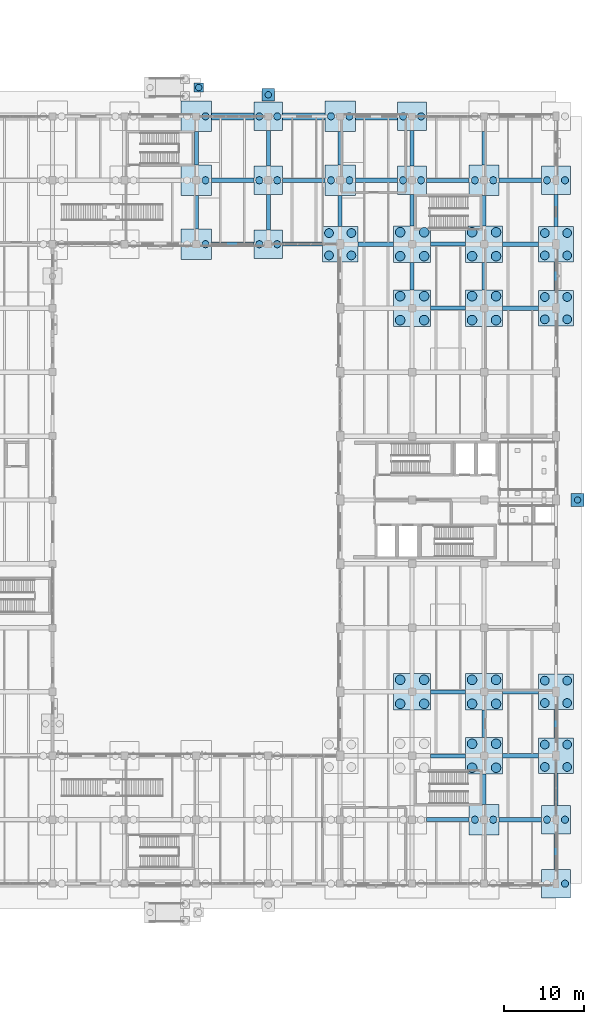
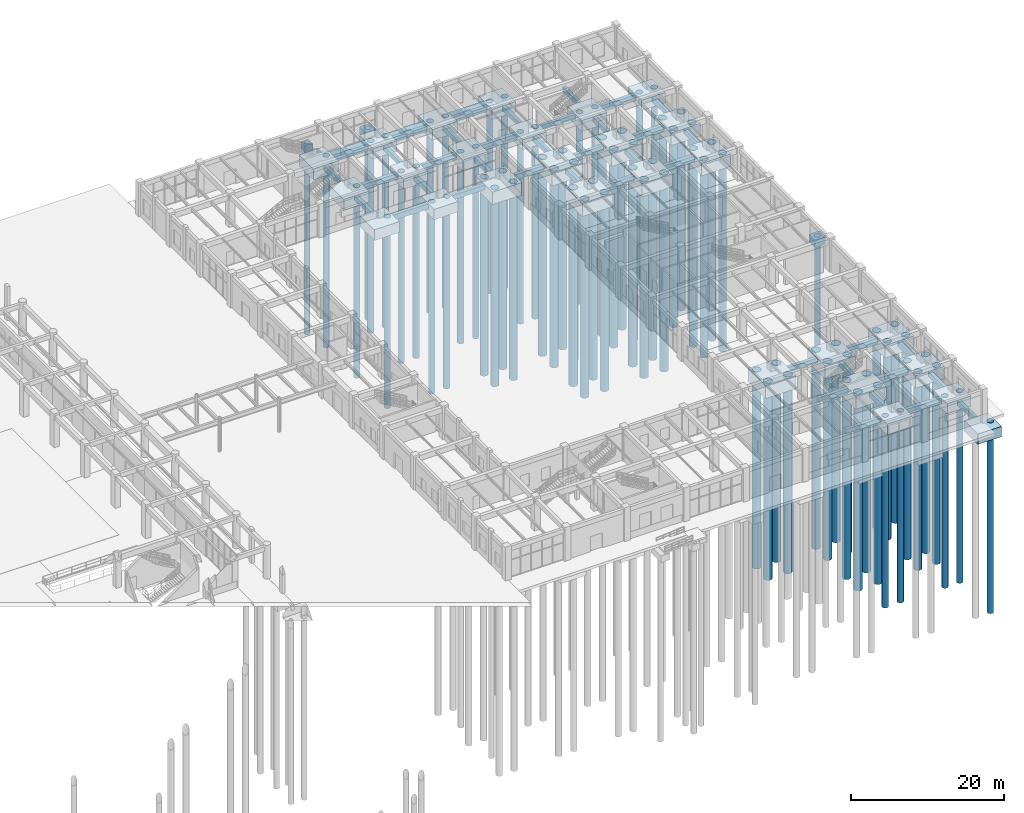
# One storey, part 4 of 121: 77 piles, 70 footings.
"""IFC4 building model written with IfcOpenShell, lengths in metres."""

from ifc_helpers import new_model, si_unit, derived_unit, direction, frame, origin, origin_2d, place, context, subcontext, project, spatial, rectangle, circle, extrude, material, material_profile, profile_set, type_object, element, save


model = new_model("IFC4")

# Units and contexts
model_context = context("Model", 3, precision=1e-05, world=origin(), true_north=direction((0.0, 1.0)))
body_context = subcontext(model_context, "Body", "Model", "MODEL_VIEW")
ifc_project = project(units=[si_unit("LENGTHUNIT", "METRE"), si_unit("AREAUNIT", "SQUARE_METRE"), si_unit("VOLUMEUNIT", "CUBIC_METRE"), si_unit("PLANEANGLEUNIT", "RADIAN"), si_unit("MASSUNIT", "GRAM", prefix="KILO"), derived_unit("THERMALTRANSMITTANCEUNIT", [(si_unit("MASSUNIT", "GRAM", prefix="KILO"), 1), (si_unit("TIMEUNIT", "SECOND"), -3), (si_unit("THERMODYNAMICTEMPERATUREUNIT", "KELVIN"), -1)])], contexts=[model_context])

# Site, building, storey
site_placement = place(None, origin())
site = spatial("IfcSite", under=ifc_project, at=site_placement, CompositionType="ELEMENT")
building_placement = place(site_placement, origin())
building = spatial("IfcBuilding", under=site, at=building_placement, Name="Zhenchuan Archway Interchange", CompositionType="ELEMENT")
storey_placement = place(building_placement, origin())
storey = spatial("IfcBuildingStorey", under=building, at=storey_placement, Name="L00", CompositionType="ELEMENT", Elevation=0.0)

# Footings
ifc_material_1 = material(Name="Concrete C40", Category="concrete")
ifc_material_profile_1 = material_profile(ifc_material_1, rectangle(XDim=0.550048828125, YDim=0.85009765625, at=origin_2d()), Name="RC 550x850")
ifc_profile_set_1 = profile_set([ifc_material_profile_1], Name="Concrete C40")
footing_type_1 = type_object("IfcFootingType", Name="FB_GROUND_3", PredefinedType="FOOTING_BEAM", material=ifc_profile_set_1)
footing_1_placement = place(storey_placement, frame((163.89990234375, 16.0, -0.844970703125), z_axis=(1.0, 0.0, 0.0), x_axis=(0.0, 1.0, 0.0)))
element("IfcFooting", 1, at=footing_1_placement, inside=storey, type_object=footing_type_1, Name="Ground tie beam C:19-20 (L00)", PredefinedType="FOOTING_BEAM", context=body_context, shape_type="SweptSolid", body=[
    extrude(rectangle(XDim=0.550048828125, YDim=0.85009765625, at=origin_2d()), origin(), (0.0, 0.0, 1.0), 5.300048828125),
])
for number, where, z_axis, x_axis, name in (
    (2, (164.300048828125, 24.0, -0.844970703125), (1.0, 0.0, 0.0), (0.0, 1.0, 0.0), "Ground tie beam D:19-20 (L00)"),
    (3, (164.300048828125, 32.0, -0.844970703125), (1.0, 0.0, 0.0), (0.0, 1.0, 0.0), "Ground tie beam E:19-20 (L00)"),
    (4, (164.300048828125, 80.0, -0.844970703125), (1.0, 0.0, 0.0), (0.0, 1.0, 0.0), "Ground tie beam L:19-20 (L00)"),
):
    element("IfcFooting", number, at=place(storey_placement, frame(where, z_axis=z_axis, x_axis=x_axis)), inside=storey, type_object=footing_type_1, Name=name, PredefinedType="FOOTING_BEAM", context=body_context, shape_type="SweptSolid", body=[
        extrude(rectangle(XDim=0.550048828125, YDim=0.85009765625, at=origin_2d()), origin(), (0.0, 0.0, 1.0), 4.5),
    ])
footing_2_placement = place(storey_placement, frame((127.89990234375, 88.0, -0.844970703125), z_axis=(1.0, 0.0, 0.0), x_axis=(0.0, 1.0, 0.0)))
element("IfcFooting", 5, at=footing_2_placement, inside=storey, type_object=footing_type_1, Name="Ground tie beam M:15-16 (L00)", PredefinedType="FOOTING_BEAM", context=body_context, shape_type="SweptSolid", body=[
    extrude(rectangle(XDim=0.550048828125, YDim=0.85009765625, at=origin_2d()), origin(), (0.0, 0.0, 1.0), 5.300048828125),
])
for number, where, z_axis, x_axis, name in (
    (6, (146.199951171875, 88.0, -0.844970703125), (1.0, 0.0, 0.0), (0.0, 1.0, 0.0), "Ground tie beam M:17-18 (L00)"),
    (7, (164.300048828125, 88.0, -0.844970703125), (1.0, 0.0, 0.0), (0.0, 1.0, 0.0), "Ground tie beam M:19-20 (L00)"),
):
    element("IfcFooting", number, at=place(storey_placement, frame(where, z_axis=z_axis, x_axis=x_axis)), inside=storey, type_object=footing_type_1, Name=name, PredefinedType="FOOTING_BEAM", context=body_context, shape_type="SweptSolid", body=[
        extrude(rectangle(XDim=0.550048828125, YDim=0.85009765625, at=origin_2d()), origin(), (0.0, 0.0, 1.0), 4.5),
    ])
for number, where, z_axis, x_axis, name in (
    (8, (127.89990234375, 96.0, -0.844970703125), (1.0, 0.0, 0.0), (0.0, 1.0, 0.0), "Ground tie beam N:15-16 (L00)"),
    (9, (145.89990234375, 96.0, -0.844970703125), (1.0, 0.0, 0.0), (0.0, 1.0, 0.0), "Ground tie beam N:17-18 (L00)"),
    (10, (163.89990234375, 96.0, -0.844970703125), (1.0, 0.0, 0.0), (0.0, 1.0, 0.0), "Ground tie beam N:19-20 (L00)"),
):
    element("IfcFooting", number, at=place(storey_placement, frame(where, z_axis=z_axis, x_axis=x_axis)), inside=storey, type_object=footing_type_1, Name=name, PredefinedType="FOOTING_BEAM", context=body_context, shape_type="SweptSolid", body=[
        extrude(rectangle(XDim=0.550048828125, YDim=0.85009765625, at=origin_2d()), origin(), (0.0, 0.0, 1.0), 5.300048828125),
    ])
ifc_material_profile_2 = material_profile(ifc_material_1, rectangle(XDim=0.5, YDim=0.75, at=origin_2d()), Name="RC 500x750")
ifc_profile_set_2 = profile_set([ifc_material_profile_2], Name="Concrete C40")
footing_type_2 = type_object("IfcFootingType", Name="FB_GROUND_4", PredefinedType="FOOTING_BEAM", material=ifc_profile_set_2)
footing_3_placement = place(storey_placement, frame((154.800048828125, 16.0, -0.794921875), z_axis=(1.0, 0.0, 0.0), x_axis=(0.0, 1.0, 0.0)))
element("IfcFooting", 11, at=footing_3_placement, inside=storey, type_object=footing_type_2, Name="Ground tie beam C:18-19 (L00)", PredefinedType="FOOTING_BEAM", context=body_context, shape_type="SweptSolid", body=[
    extrude(rectangle(XDim=0.5, YDim=0.75, at=origin_2d()), origin(), (0.0, 0.0, 1.0), 5.300048828125),
])
for number, where, z_axis, x_axis, name in (
    (12, (155.300048828125, 24.0, -0.794921875), (1.0, 0.0, 0.0), (0.0, 1.0, 0.0), "Ground tie beam D:18-19 (L00)"),
    (13, (155.300048828125, 32.0, -0.794921875), (1.0, 0.0, 0.0), (0.0, 1.0, 0.0), "Ground tie beam E:18-19 (L00)"),
    (14, (155.300048828125, 80.0, -0.794921875), (1.0, 0.0, 0.0), (0.0, 1.0, 0.0), "Ground tie beam L:18-19 (L00)"),
):
    element("IfcFooting", number, at=place(storey_placement, frame(where, z_axis=z_axis, x_axis=x_axis)), inside=storey, type_object=footing_type_2, Name=name, PredefinedType="FOOTING_BEAM", context=body_context, shape_type="SweptSolid", body=[
        extrude(rectangle(XDim=0.5, YDim=0.75, at=origin_2d()), origin(), (0.0, 0.0, 1.0), 4.39990234375),
    ])
footing_4_placement = place(storey_placement, frame((136.800048828125, 88.0, -0.794921875), z_axis=(1.0, 0.0, 0.0), x_axis=(0.0, 1.0, 0.0)))
element("IfcFooting", 15, at=footing_4_placement, inside=storey, type_object=footing_type_2, Name="Ground tie beam M:16-17 (L00)", PredefinedType="FOOTING_BEAM", context=body_context, shape_type="SweptSolid", body=[
    extrude(rectangle(XDim=0.5, YDim=0.75, at=origin_2d()), origin(), (0.0, 0.0, 1.0), 5.0),
])
footing_5_placement = place(storey_placement, frame((155.300048828125, 88.0, -0.794921875), z_axis=(1.0, 0.0, 0.0), x_axis=(0.0, 1.0, 0.0)))
element("IfcFooting", 16, at=footing_5_placement, inside=storey, type_object=footing_type_2, Name="Ground tie beam M:18-19 (L00)", PredefinedType="FOOTING_BEAM", context=body_context, shape_type="SweptSolid", body=[
    extrude(rectangle(XDim=0.5, YDim=0.75, at=origin_2d()), origin(), (0.0, 0.0, 1.0), 4.39990234375),
])
for number, where, z_axis, x_axis, name in (
    (17, (136.800048828125, 96.0, -0.794921875), (1.0, 0.0, 0.0), (0.0, 1.0, 0.0), "Ground tie beam N:16-17 (L00)"),
    (18, (154.800048828125, 96.0, -0.794921875), (1.0, 0.0, 0.0), (0.0, 1.0, 0.0), "Ground tie beam N:18-19 (L00)"),
):
    element("IfcFooting", number, at=place(storey_placement, frame(where, z_axis=z_axis, x_axis=x_axis)), inside=storey, type_object=footing_type_2, Name=name, PredefinedType="FOOTING_BEAM", context=body_context, shape_type="SweptSolid", body=[
        extrude(rectangle(XDim=0.5, YDim=0.75, at=origin_2d()), origin(), (0.0, 0.0, 1.0), 5.300048828125),
    ])
for number, where, z_axis, x_axis, name in (
    (19, (126.0, 89.89990234375, -0.794921875), (0.0, 1.0, 0.0), (-1.0, 0.0, 0.0), "Ground tie beam 15:M-N (L00)"),
    (20, (126.0, 97.89990234375, -0.794921875), (0.0, 1.0, 0.0), (-1.0, 0.0, 0.0), "Ground tie beam 15:N-O (L00)"),
):
    element("IfcFooting", number, at=place(storey_placement, frame(where, z_axis=z_axis, x_axis=x_axis)), inside=storey, type_object=footing_type_2, Name=name, PredefinedType="FOOTING_BEAM", context=body_context, shape_type="SweptSolid", body=[
        extrude(rectangle(XDim=0.5, YDim=0.75, at=origin_2d()), origin(), (0.0, 0.0, 1.0), 4.2001953125),
    ])
for number, where, z_axis, x_axis, name in (
    (21, (135.0, 89.800048828125, -0.794921875), (0.0, 1.0, 0.0), (-1.0, 0.0, 0.0), "Ground tie beam 16:M-N (L00)"),
    (22, (135.0, 97.800048828125, -0.794921875), (0.0, 1.0, 0.0), (-1.0, 0.0, 0.0), "Ground tie beam 16:N-O (L00)"),
):
    element("IfcFooting", number, at=place(storey_placement, frame(where, z_axis=z_axis, x_axis=x_axis)), inside=storey, type_object=footing_type_2, Name=name, PredefinedType="FOOTING_BEAM", context=body_context, shape_type="SweptSolid", body=[
        extrude(rectangle(XDim=0.5, YDim=0.75, at=origin_2d()), origin(), (0.0, 0.0, 1.0), 4.39990234375),
    ])
footing_6_placement = place(storey_placement, frame((144.0, 90.199951171875, -0.794921875), z_axis=(0.0, 1.0, 0.0), x_axis=(-1.0, 0.0, 0.0)))
element("IfcFooting", 23, at=footing_6_placement, inside=storey, type_object=footing_type_2, Name="Ground tie beam 17:M-N (L00)", PredefinedType="FOOTING_BEAM", context=body_context, shape_type="SweptSolid", body=[
    extrude(rectangle(XDim=0.5, YDim=0.75, at=origin_2d()), origin(), (0.0, 0.0, 1.0), 3.900146484375),
])
footing_7_placement = place(storey_placement, frame((144.0, 97.89990234375, -0.794921875), z_axis=(0.0, 1.0, 0.0), x_axis=(-1.0, 0.0, 0.0)))
element("IfcFooting", 24, at=footing_7_placement, inside=storey, type_object=footing_type_2, Name="Ground tie beam 17:N-O (L00)", PredefinedType="FOOTING_BEAM", context=body_context, shape_type="SweptSolid", body=[
    extrude(rectangle(XDim=0.5, YDim=0.75, at=origin_2d()), origin(), (0.0, 0.0, 1.0), 4.2001953125),
])
footing_8_placement = place(storey_placement, frame((153.0, 82.300048828125, -0.794921875), z_axis=(0.0, 1.0, 0.0), x_axis=(-1.0, 0.0, 0.0)))
element("IfcFooting", 25, at=footing_8_placement, inside=storey, type_object=footing_type_2, Name="Ground tie beam 18:L-M (L00)", PredefinedType="FOOTING_BEAM", context=body_context, shape_type="SweptSolid", body=[
    extrude(rectangle(XDim=0.5, YDim=0.75, at=origin_2d()), origin(), (0.0, 0.0, 1.0), 3.39990234375),
])
footing_9_placement = place(storey_placement, frame((153.0, 90.300048828125, -0.794921875), z_axis=(0.0, 1.0, 0.0), x_axis=(-1.0, 0.0, 0.0)))
element("IfcFooting", 26, at=footing_9_placement, inside=storey, type_object=footing_type_2, Name="Ground tie beam 18:M-N (L00)", PredefinedType="FOOTING_BEAM", context=body_context, shape_type="SweptSolid", body=[
    extrude(rectangle(XDim=0.5, YDim=0.75, at=origin_2d()), origin(), (0.0, 0.0, 1.0), 3.89990234375),
])
footing_10_placement = place(storey_placement, frame((153.0, 97.800048828125, -0.794921875), z_axis=(0.0, 1.0, 0.0), x_axis=(-1.0, 0.0, 0.0)))
element("IfcFooting", 27, at=footing_10_placement, inside=storey, type_object=footing_type_2, Name="Ground tie beam 18:N-O (L00)", PredefinedType="FOOTING_BEAM", context=body_context, shape_type="SweptSolid", body=[
    extrude(rectangle(XDim=0.5, YDim=0.75, at=origin_2d()), origin(), (0.0, 0.0, 1.0), 4.39990234375),
])
footing_11_placement = place(storey_placement, frame((162.0, 17.89990234375, -0.794921875), z_axis=(0.0, 1.0, 0.0), x_axis=(-1.0, 0.0, 0.0)))
element("IfcFooting", 28, at=footing_11_placement, inside=storey, type_object=footing_type_2, Name="Ground tie beam 19:C-D (L00)", PredefinedType="FOOTING_BEAM", context=body_context, shape_type="SweptSolid", body=[
    extrude(rectangle(XDim=0.5, YDim=0.75, at=origin_2d()), origin(), (0.0, 0.0, 1.0), 3.800048828125),
])
for number, where, z_axis, x_axis, name in (
    (29, (162.0, 26.300048828125, -0.794921875), (0.0, 1.0, 0.0), (-1.0, 0.0, 0.0), "Ground tie beam 19:D-E (L00)"),
    (30, (162.0, 82.300048828125, -0.794921875), (0.0, 1.0, 0.0), (-1.0, 0.0, 0.0), "Ground tie beam 19:L-M (L00)"),
):
    element("IfcFooting", number, at=place(storey_placement, frame(where, z_axis=z_axis, x_axis=x_axis)), inside=storey, type_object=footing_type_2, Name=name, PredefinedType="FOOTING_BEAM", context=body_context, shape_type="SweptSolid", body=[
        extrude(rectangle(XDim=0.5, YDim=0.75, at=origin_2d()), origin(), (0.0, 0.0, 1.0), 3.39990234375),
    ])
footing_12_placement = place(storey_placement, frame((162.0, 90.300048828125, -0.794921875), z_axis=(0.0, 1.0, 0.0), x_axis=(-1.0, 0.0, 0.0)))
element("IfcFooting", 31, at=footing_12_placement, inside=storey, type_object=footing_type_2, Name="Ground tie beam 19:M-N (L00)", PredefinedType="FOOTING_BEAM", context=body_context, shape_type="SweptSolid", body=[
    extrude(rectangle(XDim=0.5, YDim=0.75, at=origin_2d()), origin(), (0.0, 0.0, 1.0), 3.800048828125),
])
footing_13_placement = place(storey_placement, frame((162.0, 97.89990234375, -0.794921875), z_axis=(0.0, 1.0, 0.0), x_axis=(-1.0, 0.0, 0.0)))
element("IfcFooting", 32, at=footing_13_placement, inside=storey, type_object=footing_type_2, Name="Ground tie beam 19:N-O (L00)", PredefinedType="FOOTING_BEAM", context=body_context, shape_type="SweptSolid", body=[
    extrude(rectangle(XDim=0.5, YDim=0.75, at=origin_2d()), origin(), (0.0, 0.0, 1.0), 4.2001953125),
])
footing_14_placement = place(storey_placement, frame((171.0, 9.800048828125, -0.794921875), z_axis=(0.0, 1.0, 0.0), x_axis=(-1.0, 0.0, 0.0)))
element("IfcFooting", 33, at=footing_14_placement, inside=storey, type_object=footing_type_2, Name="Ground tie beam 20:B-C (L00)", PredefinedType="FOOTING_BEAM", context=body_context, shape_type="SweptSolid", body=[
    extrude(rectangle(XDim=0.5, YDim=0.75, at=origin_2d()), origin(), (0.0, 0.0, 1.0), 4.39990234375),
])
footing_15_placement = place(storey_placement, frame((171.0, 17.800048828125, -0.794921875), z_axis=(0.0, 1.0, 0.0), x_axis=(-1.0, 0.0, 0.0)))
element("IfcFooting", 34, at=footing_15_placement, inside=storey, type_object=footing_type_2, Name="Ground tie beam 20:C-D (L00)", PredefinedType="FOOTING_BEAM", context=body_context, shape_type="SweptSolid", body=[
    extrude(rectangle(XDim=0.5, YDim=0.75, at=origin_2d()), origin(), (0.0, 0.0, 1.0), 4.0),
])
for number, where, z_axis, x_axis, name in (
    (35, (171.0, 26.199951171875, -0.794921875), (0.0, 1.0, 0.0), (-1.0, 0.0, 0.0), "Ground tie beam 20:D-E (L00)"),
    (36, (171.0, 82.199951171875, -0.794921875), (0.0, 1.0, 0.0), (-1.0, 0.0, 0.0), "Ground tie beam 20:L-M (L00)"),
):
    element("IfcFooting", number, at=place(storey_placement, frame(where, z_axis=z_axis, x_axis=x_axis)), inside=storey, type_object=footing_type_2, Name=name, PredefinedType="FOOTING_BEAM", context=body_context, shape_type="SweptSolid", body=[
        extrude(rectangle(XDim=0.5, YDim=0.75, at=origin_2d()), origin(), (0.0, 0.0, 1.0), 3.60009765625),
    ])
footing_16_placement = place(storey_placement, frame((171.0, 90.199951171875, -0.794921875), z_axis=(0.0, 1.0, 0.0), x_axis=(-1.0, 0.0, 0.0)))
element("IfcFooting", 37, at=footing_16_placement, inside=storey, type_object=footing_type_2, Name="Ground tie beam 20:M-N (L00)", PredefinedType="FOOTING_BEAM", context=body_context, shape_type="SweptSolid", body=[
    extrude(rectangle(XDim=0.5, YDim=0.75, at=origin_2d()), origin(), (0.0, 0.0, 1.0), 4.0),
])
ifc_material_profile_3 = material_profile(ifc_material_1, rectangle(XDim=0.89990234375, YDim=1.159912109375, at=origin_2d()), Name="RC 900x1160")
ifc_profile_set_3 = profile_set([ifc_material_profile_3], Name="Concrete C40")
footing_type_3 = type_object("IfcFootingType", Name="FB_PLINTH_CURB", PredefinedType="STRIP_FOOTING", material=ifc_profile_set_3)
for number, where, z_axis, x_axis, name in (
    (38, (127.89990234375, 104.0, -1.0), (1.0, 0.0, 0.0), (0.0, 1.0, 0.0), "Perimeter strip footing O:15-16 (L00)"),
    (39, (136.800048828125, 104.0, -1.0), (1.0, 0.0, 0.0), (0.0, 1.0, 0.0), "Perimeter strip footing O:16-17 (L00)"),
    (40, (145.89990234375, 104.0, -1.0), (1.0, 0.0, 0.0), (0.0, 1.0, 0.0), "Perimeter strip footing O:17-18 (L00)"),
):
    element("IfcFooting", number, at=place(storey_placement, frame(where, z_axis=z_axis, x_axis=x_axis)), inside=storey, type_object=footing_type_3, Name=name, PredefinedType="STRIP_FOOTING", context=body_context, shape_type="SweptSolid", body=[
        extrude(rectangle(XDim=0.89990234375, YDim=1.159912109375, at=origin_2d()), origin(), (0.0, 0.0, 1.0), 5.300048828125),
    ])
footing_type_4 = type_object("IfcFootingType", Name="PAD_EQUIP_4", PredefinedType="PAD_FOOTING", material=ifc_material_1)
for number, where, z_axis, x_axis, name in (
    (41, (135.0, 106.699951171875, -1.6201171875), (0.0, 0.0, 1.0), (1.0, 0.0, 0.0), "Walkway curb footing OPSN"),
    (42, (173.699951171875, 56.0, -1.6201171875), (0.0, 0.0, 1.0), (1.0, 0.0, 0.0), "Walkway curb footing OPSE"),
):
    element("IfcFooting", number, at=place(storey_placement, frame(where, z_axis=z_axis, x_axis=x_axis)), inside=storey, type_object=footing_type_4, Name=name, PredefinedType="PAD_FOOTING", context=body_context, shape_type="SweptSolid", body=[
        extrude(rectangle(XDim=1.60009765625, YDim=1.60009765625, at=origin_2d()), origin(), (0.0, 0.0, 1.0), 1.199951171875),
    ])
footing_type_5 = type_object("IfcFootingType", Name="PAD_EQUIP_7", PredefinedType="PAD_FOOTING", material=ifc_material_1)
footing_17_placement = place(storey_placement, frame((126.300048828125, 107.60009765625, -1.35009765625), z_axis=(0.0, 0.0, 1.0), x_axis=(1.0, 0.0, 0.0)))
element("IfcFooting", 43, at=footing_17_placement, inside=storey, type_object=footing_type_5, Name="RMP-A4 upper landing footing 3", PredefinedType="PAD_FOOTING", context=body_context, shape_type="SweptSolid", body=[
    extrude(rectangle(XDim=1.14990234375, YDim=1.14990234375, at=origin_2d()), origin(), (0.0, 0.0, 1.0), 1.10009765625),
])
footing_type_6 = type_object("IfcFootingType", Name="PC_B_38x38", PredefinedType="PILE_CAP", material=ifc_material_1)
for number, where, z_axis, x_axis, name in (
    (44, (126.0, 88.0, -2.169921875), (0.0, 0.0, 1.0), (1.0, 0.0, 0.0), "Pile cap PC-07 at 15/M (L00)"),
    (45, (126.0, 96.0, -2.169921875), (0.0, 0.0, 1.0), (1.0, 0.0, 0.0), "Pile cap PC-07 at 15/N (L00)"),
    (46, (126.0, 104.0, -2.169921875), (0.0, 0.0, 1.0), (1.0, 0.0, 0.0), "Pile cap PC-07 at 15/O (L00)"),
    (47, (144.0, 96.0, -2.169921875), (0.0, 0.0, 1.0), (1.0, 0.0, 0.0), "Pile cap PC-07 at 17/N (L00)"),
    (48, (144.0, 104.0, -2.169921875), (0.0, 0.0, 1.0), (1.0, 0.0, 0.0), "Pile cap PC-07 at 17/O (L00)"),
    (49, (162.0, 16.0, -2.169921875), (0.0, 0.0, 1.0), (1.0, 0.0, 0.0), "Pile cap PC-07 at 19/C (L00)"),
    (50, (162.0, 96.0, -2.169921875), (0.0, 0.0, 1.0), (1.0, 0.0, 0.0), "Pile cap PC-07 at 19/N (L00)"),
):
    element("IfcFooting", number, at=place(storey_placement, frame(where, z_axis=z_axis, x_axis=x_axis)), inside=storey, type_object=footing_type_6, Name=name, PredefinedType="PILE_CAP", context=body_context, shape_type="SweptSolid", body=[
        extrude(rectangle(XDim=3.800048828125, YDim=3.800048828125, at=origin_2d()), origin(), (0.0, 0.0, 1.0), 1.75),
    ])
footing_type_7 = type_object("IfcFootingType", Name="PC_M_36x36", PredefinedType="PILE_CAP", material=ifc_material_1)
for number, where, z_axis, x_axis, name in (
    (51, (135.0, 88.0, -2.070068359375), (0.0, 0.0, 1.0), (1.0, 0.0, 0.0), "Pile cap PC-09 at 16/M (L00)"),
    (52, (135.0, 96.0, -2.070068359375), (0.0, 0.0, 1.0), (1.0, 0.0, 0.0), "Pile cap PC-09 at 16/N (L00)"),
    (53, (135.0, 104.0, -2.070068359375), (0.0, 0.0, 1.0), (1.0, 0.0, 0.0), "Pile cap PC-09 at 16/O (L00)"),
    (54, (153.0, 96.0, -2.070068359375), (0.0, 0.0, 1.0), (1.0, 0.0, 0.0), "Pile cap PC-09 at 18/N (L00)"),
    (55, (153.0, 104.0, -2.070068359375), (0.0, 0.0, 1.0), (1.0, 0.0, 0.0), "Pile cap PC-09 at 18/O (L00)"),
    (56, (171.0, 8.0, -2.070068359375), (0.0, 0.0, 1.0), (1.0, 0.0, 0.0), "Pile cap PC-09 at 20/B (L00)"),
    (57, (171.0, 16.0, -2.070068359375), (0.0, 0.0, 1.0), (1.0, 0.0, 0.0), "Pile cap PC-09 at 20/C (L00)"),
    (58, (171.0, 96.0, -2.070068359375), (0.0, 0.0, 1.0), (1.0, 0.0, 0.0), "Pile cap PC-09 at 20/N (L00)"),
):
    element("IfcFooting", number, at=place(storey_placement, frame(where, z_axis=z_axis, x_axis=x_axis)), inside=storey, type_object=footing_type_7, Name=name, PredefinedType="PILE_CAP", context=body_context, shape_type="SweptSolid", body=[
        extrude(rectangle(XDim=3.60009765625, YDim=3.60009765625, at=origin_2d()), origin(), (0.0, 0.0, 1.0), 1.64990234375),
    ])
footing_type_8 = type_object("IfcFootingType", Name="PC_T_44x44", PredefinedType="PILE_CAP", material=ifc_material_1)
for number, where, z_axis, x_axis, name in (
    (59, (144.0, 88.0, -2.419921875), (0.0, 0.0, 1.0), (1.0, 0.0, 0.0), "Pile cap PC-02 at 17/M (L00)"),
    (60, (171.0, 24.0, -2.419921875), (0.0, 0.0, 1.0), (1.0, 0.0, 0.0), "Pile cap PC-02 at 20/D (L00)"),
    (61, (171.0, 32.0, -2.419921875), (0.0, 0.0, 1.0), (1.0, 0.0, 0.0), "Pile cap PC-02 at 20/E (L00)"),
    (62, (171.0, 80.0, -2.419921875), (0.0, 0.0, 1.0), (1.0, 0.0, 0.0), "Pile cap PC-02 at 20/L (L00)"),
    (63, (171.0, 88.0, -2.419921875), (0.0, 0.0, 1.0), (1.0, 0.0, 0.0), "Pile cap PC-02 at 20/M (L00)"),
):
    element("IfcFooting", number, at=place(storey_placement, frame(where, z_axis=z_axis, x_axis=x_axis)), inside=storey, type_object=footing_type_8, Name=name, PredefinedType="PILE_CAP", context=body_context, shape_type="SweptSolid", body=[
        extrude(rectangle(XDim=4.39990234375, YDim=4.39990234375, at=origin_2d()), origin(), (0.0, 0.0, 1.0), 2.0),
    ])
footing_type_9 = type_object("IfcFootingType", Name="PC_T_46x46", PredefinedType="PILE_CAP", material=ifc_material_1)
for number, where, z_axis, x_axis, name in (
    (64, (153.0, 32.0, -2.52001953125), (0.0, 0.0, 1.0), (1.0, 0.0, 0.0), "Pile cap PC-01 at 18/E (L00)"),
    (65, (153.0, 80.0, -2.52001953125), (0.0, 0.0, 1.0), (1.0, 0.0, 0.0), "Pile cap PC-01 at 18/L (L00)"),
    (66, (153.0, 88.0, -2.52001953125), (0.0, 0.0, 1.0), (1.0, 0.0, 0.0), "Pile cap PC-01 at 18/M (L00)"),
    (67, (162.0, 24.0, -2.52001953125), (0.0, 0.0, 1.0), (1.0, 0.0, 0.0), "Pile cap PC-01 at 19/D (L00)"),
    (68, (162.0, 32.0, -2.52001953125), (0.0, 0.0, 1.0), (1.0, 0.0, 0.0), "Pile cap PC-01 at 19/E (L00)"),
    (69, (162.0, 80.0, -2.52001953125), (0.0, 0.0, 1.0), (1.0, 0.0, 0.0), "Pile cap PC-01 at 19/L (L00)"),
    (70, (162.0, 88.0, -2.52001953125), (0.0, 0.0, 1.0), (1.0, 0.0, 0.0), "Pile cap PC-01 at 19/M (L00)"),
):
    element("IfcFooting", number, at=place(storey_placement, frame(where, z_axis=z_axis, x_axis=x_axis)), inside=storey, type_object=footing_type_9, Name=name, PredefinedType="PILE_CAP", context=body_context, shape_type="SweptSolid", body=[
        extrude(rectangle(XDim=4.60009765625, YDim=4.60009765625, at=origin_2d()), origin(), (0.0, 0.0, 1.0), 2.10009765625),
    ])

# Piles
ifc_material_2 = material(Name="Concrete C35", Category="concrete")
ifc_material_profile_4 = material_profile(ifc_material_2, circle(Radius=0.550048828125, at=origin_2d()), Name="BORED PILE 1100")
ifc_profile_set_4 = profile_set([ifc_material_profile_4], Name="Concrete C35")
pile_type_1 = type_object("IfcPileType", Name="PILE_D1100", PredefinedType="BORED", material=ifc_profile_set_4)
for number, where, z_axis, x_axis, name in (
    (71, (142.60009765625, 86.60009765625, -0.419921875), (0.0, 0.0, -1.0), (1.0, 0.0, 0.0), "Bored pile at 17/M #1 (L00)"),
    (72, (145.39990234375, 86.60009765625, -0.419921875), (0.0, 0.0, -1.0), (1.0, 0.0, 0.0), "Bored pile at 17/M #2 (L00)"),
    (73, (142.60009765625, 89.39990234375, -0.419921875), (0.0, 0.0, -1.0), (1.0, 0.0, 0.0), "Bored pile at 17/M #3 (L00)"),
    (74, (145.39990234375, 89.39990234375, -0.419921875), (0.0, 0.0, -1.0), (1.0, 0.0, 0.0), "Bored pile at 17/M #4 (L00)"),
    (75, (169.60009765625, 22.60009765625, -0.419921875), (0.0, 0.0, -1.0), (1.0, 0.0, 0.0), "Bored pile at 20/D #1 (L00)"),
    (76, (172.39990234375, 22.60009765625, -0.419921875), (0.0, 0.0, -1.0), (1.0, 0.0, 0.0), "Bored pile at 20/D #2 (L00)"),
    (77, (169.60009765625, 25.39990234375, -0.419921875), (0.0, 0.0, -1.0), (1.0, 0.0, 0.0), "Bored pile at 20/D #3 (L00)"),
    (78, (172.39990234375, 25.39990234375, -0.419921875), (0.0, 0.0, -1.0), (1.0, 0.0, 0.0), "Bored pile at 20/D #4 (L00)"),
    (79, (169.60009765625, 30.60009765625, -0.419921875), (0.0, 0.0, -1.0), (1.0, 0.0, 0.0), "Bored pile at 20/E #1 (L00)"),
    (80, (172.39990234375, 30.60009765625, -0.419921875), (0.0, 0.0, -1.0), (1.0, 0.0, 0.0), "Bored pile at 20/E #2 (L00)"),
    (81, (169.60009765625, 33.39990234375, -0.419921875), (0.0, 0.0, -1.0), (1.0, 0.0, 0.0), "Bored pile at 20/E #3 (L00)"),
    (82, (172.39990234375, 33.39990234375, -0.419921875), (0.0, 0.0, -1.0), (1.0, 0.0, 0.0), "Bored pile at 20/E #4 (L00)"),
    (83, (169.60009765625, 78.60009765625, -0.419921875), (0.0, 0.0, -1.0), (1.0, 0.0, 0.0), "Bored pile at 20/L #1 (L00)"),
    (84, (172.39990234375, 78.60009765625, -0.419921875), (0.0, 0.0, -1.0), (1.0, 0.0, 0.0), "Bored pile at 20/L #2 (L00)"),
    (85, (169.60009765625, 81.39990234375, -0.419921875), (0.0, 0.0, -1.0), (1.0, 0.0, 0.0), "Bored pile at 20/L #3 (L00)"),
    (86, (172.39990234375, 81.39990234375, -0.419921875), (0.0, 0.0, -1.0), (1.0, 0.0, 0.0), "Bored pile at 20/L #4 (L00)"),
    (87, (169.60009765625, 86.60009765625, -0.419921875), (0.0, 0.0, -1.0), (1.0, 0.0, 0.0), "Bored pile at 20/M #1 (L00)"),
    (88, (172.39990234375, 86.60009765625, -0.419921875), (0.0, 0.0, -1.0), (1.0, 0.0, 0.0), "Bored pile at 20/M #2 (L00)"),
    (89, (169.60009765625, 89.39990234375, -0.419921875), (0.0, 0.0, -1.0), (1.0, 0.0, 0.0), "Bored pile at 20/M #3 (L00)"),
    (90, (172.39990234375, 89.39990234375, -0.419921875), (0.0, 0.0, -1.0), (1.0, 0.0, 0.0), "Bored pile at 20/M #4 (L00)"),
):
    element("IfcPile", number, at=place(storey_placement, frame(where, z_axis=z_axis, x_axis=x_axis)), inside=storey, type_object=pile_type_1, Name=name, PredefinedType="BORED", context=body_context, shape_type="SweptSolid", body=[
        extrude(circle(Radius=0.550048828125, at=origin_2d()), origin(), (0.0, 0.0, 1.0), 31.5),
    ])
ifc_material_profile_5 = material_profile(ifc_material_2, circle(Radius=0.60009765625, at=origin_2d()), Name="BORED PILE 1200")
ifc_profile_set_5 = profile_set([ifc_material_profile_5], Name="Concrete C35")
pile_type_2 = type_object("IfcPileType", Name="PILE_D1200", PredefinedType="BORED", material=ifc_profile_set_5)
for number, where, z_axis, x_axis, name in (
    (91, (151.5, 30.5, -0.419921875), (0.0, 0.0, -1.0), (1.0, 0.0, 0.0), "Bored pile at 18/E #1 (L00)"),
    (92, (154.5, 30.5, -0.419921875), (0.0, 0.0, -1.0), (1.0, 0.0, 0.0), "Bored pile at 18/E #2 (L00)"),
    (93, (151.5, 33.5, -0.419921875), (0.0, 0.0, -1.0), (1.0, 0.0, 0.0), "Bored pile at 18/E #3 (L00)"),
    (94, (154.5, 33.5, -0.419921875), (0.0, 0.0, -1.0), (1.0, 0.0, 0.0), "Bored pile at 18/E #4 (L00)"),
    (95, (151.5, 78.5, -0.419921875), (0.0, 0.0, -1.0), (1.0, 0.0, 0.0), "Bored pile at 18/L #1 (L00)"),
    (96, (154.5, 78.5, -0.419921875), (0.0, 0.0, -1.0), (1.0, 0.0, 0.0), "Bored pile at 18/L #2 (L00)"),
    (97, (151.5, 81.5, -0.419921875), (0.0, 0.0, -1.0), (1.0, 0.0, 0.0), "Bored pile at 18/L #3 (L00)"),
    (98, (154.5, 81.5, -0.419921875), (0.0, 0.0, -1.0), (1.0, 0.0, 0.0), "Bored pile at 18/L #4 (L00)"),
    (99, (151.5, 86.5, -0.419921875), (0.0, 0.0, -1.0), (1.0, 0.0, 0.0), "Bored pile at 18/M #1 (L00)"),
    (100, (154.5, 86.5, -0.419921875), (0.0, 0.0, -1.0), (1.0, 0.0, 0.0), "Bored pile at 18/M #2 (L00)"),
    (101, (151.5, 89.5, -0.419921875), (0.0, 0.0, -1.0), (1.0, 0.0, 0.0), "Bored pile at 18/M #3 (L00)"),
    (102, (154.5, 89.5, -0.419921875), (0.0, 0.0, -1.0), (1.0, 0.0, 0.0), "Bored pile at 18/M #4 (L00)"),
    (103, (160.5, 22.5, -0.419921875), (0.0, 0.0, -1.0), (1.0, 0.0, 0.0), "Bored pile at 19/D #1 (L00)"),
    (104, (163.5, 22.5, -0.419921875), (0.0, 0.0, -1.0), (1.0, 0.0, 0.0), "Bored pile at 19/D #2 (L00)"),
    (105, (160.5, 25.5, -0.419921875), (0.0, 0.0, -1.0), (1.0, 0.0, 0.0), "Bored pile at 19/D #3 (L00)"),
    (106, (163.5, 25.5, -0.419921875), (0.0, 0.0, -1.0), (1.0, 0.0, 0.0), "Bored pile at 19/D #4 (L00)"),
    (107, (160.5, 30.5, -0.419921875), (0.0, 0.0, -1.0), (1.0, 0.0, 0.0), "Bored pile at 19/E #1 (L00)"),
    (108, (163.5, 30.5, -0.419921875), (0.0, 0.0, -1.0), (1.0, 0.0, 0.0), "Bored pile at 19/E #2 (L00)"),
    (109, (160.5, 33.5, -0.419921875), (0.0, 0.0, -1.0), (1.0, 0.0, 0.0), "Bored pile at 19/E #3 (L00)"),
    (110, (163.5, 33.5, -0.419921875), (0.0, 0.0, -1.0), (1.0, 0.0, 0.0), "Bored pile at 19/E #4 (L00)"),
    (111, (160.5, 78.5, -0.419921875), (0.0, 0.0, -1.0), (1.0, 0.0, 0.0), "Bored pile at 19/L #1 (L00)"),
    (112, (163.5, 78.5, -0.419921875), (0.0, 0.0, -1.0), (1.0, 0.0, 0.0), "Bored pile at 19/L #2 (L00)"),
    (113, (160.5, 81.5, -0.419921875), (0.0, 0.0, -1.0), (1.0, 0.0, 0.0), "Bored pile at 19/L #3 (L00)"),
    (114, (163.5, 81.5, -0.419921875), (0.0, 0.0, -1.0), (1.0, 0.0, 0.0), "Bored pile at 19/L #4 (L00)"),
    (115, (160.5, 86.5, -0.419921875), (0.0, 0.0, -1.0), (1.0, 0.0, 0.0), "Bored pile at 19/M #1 (L00)"),
    (116, (163.5, 86.5, -0.419921875), (0.0, 0.0, -1.0), (1.0, 0.0, 0.0), "Bored pile at 19/M #2 (L00)"),
    (117, (160.5, 89.5, -0.419921875), (0.0, 0.0, -1.0), (1.0, 0.0, 0.0), "Bored pile at 19/M #3 (L00)"),
    (118, (163.5, 89.5, -0.419921875), (0.0, 0.0, -1.0), (1.0, 0.0, 0.0), "Bored pile at 19/M #4 (L00)"),
):
    element("IfcPile", number, at=place(storey_placement, frame(where, z_axis=z_axis, x_axis=x_axis)), inside=storey, type_object=pile_type_2, Name=name, PredefinedType="BORED", context=body_context, shape_type="SweptSolid", body=[
        extrude(circle(Radius=0.60009765625, at=origin_2d()), origin(), (0.0, 0.0, 1.0), 31.5),
    ])
ifc_material_profile_6 = material_profile(ifc_material_2, circle(Radius=0.39990234375, at=origin_2d()), Name="BORED PILE 800")
ifc_profile_set_6 = profile_set([ifc_material_profile_6], Name="Concrete C35")
pile_type_3 = type_object("IfcPileType", Name="PILE_D800", PredefinedType="BORED", material=ifc_profile_set_6)
for number, where, z_axis, x_axis, name in (
    (119, (126.300048828125, 107.60009765625, -0.25), (0.0, 0.0, -1.0), (1.0, 0.0, 0.0), "RMP-A4 upper landing pile 3"),
    (120, (135.0, 106.699951171875, -0.419921875), (0.0, 0.0, -1.0), (1.0, 0.0, 0.0), "Walkway curb pile OPSN"),
    (121, (173.699951171875, 56.0, -0.419921875), (0.0, 0.0, -1.0), (1.0, 0.0, 0.0), "Walkway curb pile OPSE"),
):
    element("IfcPile", number, at=place(storey_placement, frame(where, z_axis=z_axis, x_axis=x_axis)), inside=storey, type_object=pile_type_3, Name=name, PredefinedType="BORED", context=body_context, shape_type="SweptSolid", body=[
        extrude(circle(Radius=0.39990234375, at=origin_2d()), origin(), (0.0, 0.0, 1.0), 30.5),
    ])
ifc_material_profile_7 = material_profile(ifc_material_2, circle(Radius=0.449951171875, at=origin_2d()), Name="BORED PILE 900")
ifc_profile_set_7 = profile_set([ifc_material_profile_7], Name="Concrete C35")
pile_type_4 = type_object("IfcPileType", Name="PILE_D900", PredefinedType="BORED", material=ifc_profile_set_7)
for number, where, z_axis, x_axis, name in (
    (122, (127.14990234375, 88.0, -0.419921875), (0.0, 0.0, -1.0), (1.0, 0.0, 0.0), "Bored pile at 15/M #2 (L00)"),
    (123, (127.14990234375, 96.0, -0.419921875), (0.0, 0.0, -1.0), (1.0, 0.0, 0.0), "Bored pile at 15/N #2 (L00)"),
    (124, (127.14990234375, 104.0, -0.419921875), (0.0, 0.0, -1.0), (1.0, 0.0, 0.0), "Bored pile at 15/O #2 (L00)"),
    (125, (133.875, 88.0, -0.419921875), (0.0, 0.0, -1.0), (1.0, 0.0, 0.0), "Bored pile at 16/M #1 (L00)"),
    (126, (136.125, 88.0, -0.419921875), (0.0, 0.0, -1.0), (1.0, 0.0, 0.0), "Bored pile at 16/M #2 (L00)"),
    (127, (133.875, 96.0, -0.419921875), (0.0, 0.0, -1.0), (1.0, 0.0, 0.0), "Bored pile at 16/N #1 (L00)"),
    (128, (136.125, 96.0, -0.419921875), (0.0, 0.0, -1.0), (1.0, 0.0, 0.0), "Bored pile at 16/N #2 (L00)"),
    (129, (133.875, 104.0, -0.419921875), (0.0, 0.0, -1.0), (1.0, 0.0, 0.0), "Bored pile at 16/O #1 (L00)"),
    (130, (136.125, 104.0, -0.419921875), (0.0, 0.0, -1.0), (1.0, 0.0, 0.0), "Bored pile at 16/O #2 (L00)"),
    (131, (142.85009765625, 96.0, -0.419921875), (0.0, 0.0, -1.0), (1.0, 0.0, 0.0), "Bored pile at 17/N #1 (L00)"),
    (132, (145.14990234375, 96.0, -0.419921875), (0.0, 0.0, -1.0), (1.0, 0.0, 0.0), "Bored pile at 17/N #2 (L00)"),
    (133, (142.85009765625, 104.0, -0.419921875), (0.0, 0.0, -1.0), (1.0, 0.0, 0.0), "Bored pile at 17/O #1 (L00)"),
    (134, (145.14990234375, 104.0, -0.419921875), (0.0, 0.0, -1.0), (1.0, 0.0, 0.0), "Bored pile at 17/O #2 (L00)"),
    (135, (151.875, 96.0, -0.419921875), (0.0, 0.0, -1.0), (1.0, 0.0, 0.0), "Bored pile at 18/N #1 (L00)"),
    (136, (154.125, 96.0, -0.419921875), (0.0, 0.0, -1.0), (1.0, 0.0, 0.0), "Bored pile at 18/N #2 (L00)"),
    (137, (151.875, 104.0, -0.419921875), (0.0, 0.0, -1.0), (1.0, 0.0, 0.0), "Bored pile at 18/O #1 (L00)"),
    (138, (154.125, 104.0, -0.419921875), (0.0, 0.0, -1.0), (1.0, 0.0, 0.0), "Bored pile at 18/O #2 (L00)"),
    (139, (160.85009765625, 16.0, -0.419921875), (0.0, 0.0, -1.0), (1.0, 0.0, 0.0), "Bored pile at 19/C #1 (L00)"),
    (140, (163.14990234375, 16.0, -0.419921875), (0.0, 0.0, -1.0), (1.0, 0.0, 0.0), "Bored pile at 19/C #2 (L00)"),
    (141, (160.85009765625, 96.0, -0.419921875), (0.0, 0.0, -1.0), (1.0, 0.0, 0.0), "Bored pile at 19/N #1 (L00)"),
    (142, (163.14990234375, 96.0, -0.419921875), (0.0, 0.0, -1.0), (1.0, 0.0, 0.0), "Bored pile at 19/N #2 (L00)"),
    (143, (172.125, 8.0, -0.419921875), (0.0, 0.0, -1.0), (1.0, 0.0, 0.0), "Bored pile at 20/B #2 (L00)"),
    (144, (169.875, 16.0, -0.419921875), (0.0, 0.0, -1.0), (1.0, 0.0, 0.0), "Bored pile at 20/C #1 (L00)"),
    (145, (172.125, 16.0, -0.419921875), (0.0, 0.0, -1.0), (1.0, 0.0, 0.0), "Bored pile at 20/C #2 (L00)"),
    (146, (169.875, 96.0, -0.419921875), (0.0, 0.0, -1.0), (1.0, 0.0, 0.0), "Bored pile at 20/N #1 (L00)"),
    (147, (172.125, 96.0, -0.419921875), (0.0, 0.0, -1.0), (1.0, 0.0, 0.0), "Bored pile at 20/N #2 (L00)"),
):
    element("IfcPile", number, at=place(storey_placement, frame(where, z_axis=z_axis, x_axis=x_axis)), inside=storey, type_object=pile_type_4, Name=name, PredefinedType="BORED", context=body_context, shape_type="SweptSolid", body=[
        extrude(circle(Radius=0.449951171875, at=origin_2d()), origin(), (0.0, 0.0, 1.0), 30.5),
    ])

save(model, "model.ifc")
